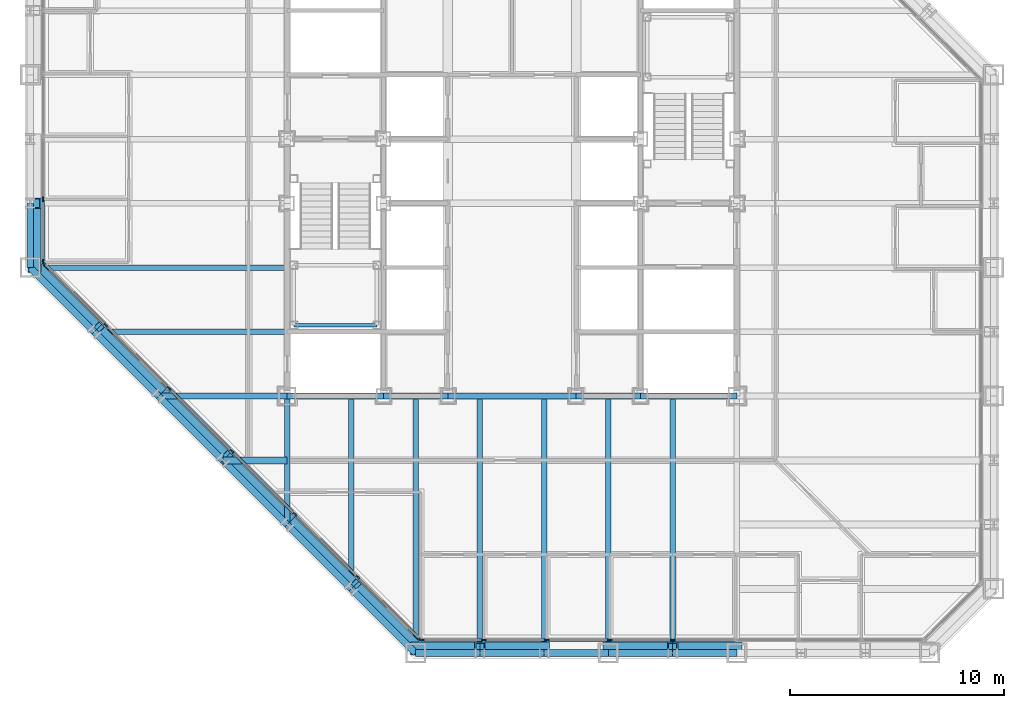
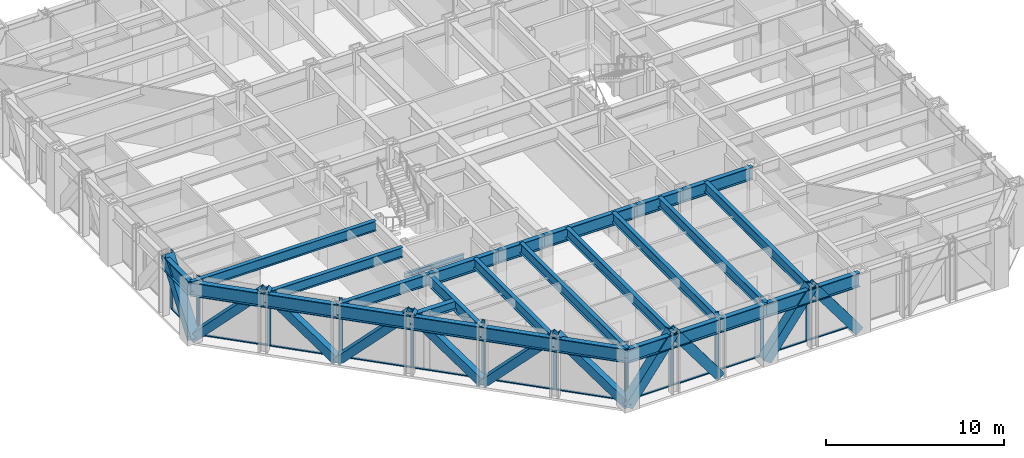
# One storey, part 4 of 17: 37 members, 29 beams, 3 elements without a shape of their own.
"""IFC4 building model written with IfcOpenShell, lengths in metres."""

from ifc_helpers import new_model, si_unit, direction, frame, origin, origin_2d, place, context, subcontext, project, spatial, rectangle, hollow_rectangle, i_section, extrude, material, layer, layer_set, material_profile, profile_set, type_object, element, aggregate, save


model = new_model("IFC4")

# Units and contexts
model_context = context("Model", 3, precision=1e-05, world=origin(), true_north=direction((0.0, 1.0)))
body_context = subcontext(model_context, "Body", "Model", "MODEL_VIEW")
ifc_project = project(units=[si_unit("LENGTHUNIT", "METRE"), si_unit("AREAUNIT", "SQUARE_METRE"), si_unit("VOLUMEUNIT", "CUBIC_METRE"), si_unit("PLANEANGLEUNIT", "RADIAN"), si_unit("MASSUNIT", "GRAM", prefix="KILO")], contexts=[model_context])

# Site, building, storey
site_placement = place(None, origin())
site = spatial("IfcSite", under=ifc_project, at=site_placement, CompositionType="ELEMENT")
building_placement = place(site_placement, origin())
building = spatial("IfcBuilding", under=site, at=building_placement, Name="Chuquiago Exchange Tower", CompositionType="ELEMENT")
storey_placement = place(building_placement, frame((0.0, 0.0, 136.199951171875)))
storey = spatial("IfcBuildingStorey", under=building, at=storey_placement, Name="L29", CompositionType="ELEMENT", Elevation=136.199951171875)

# Beams
ifc_material_1 = material(Name="Steel ASTM A992", Category="steel")
ifc_material_profile_1 = material_profile(ifc_material_1, i_section(OverallWidth=0.25390625, OverallDepth=0.683349609375, WebThickness=0.012451171875, FlangeThickness=0.018798828125, at=origin_2d()), Name="W27X94")
ifc_profile_set_1 = profile_set([ifc_material_profile_1], Name="Steel ASTM A992")
beam_type_1 = type_object("IfcBeamType", Name="B1 W27X94", PredefinedType="BEAM", material=ifc_profile_set_1)
beam_1_placement = place(storey_placement, frame((15.0, 12.0, 3.698486328125), z_axis=(0.0, -1.0, 0.0), x_axis=(1.0, 0.0, 0.0)))
element("IfcBeam", 1, at=beam_1_placement, inside=storey, type_object=beam_type_1, Name="FB-L30-infill-15_12-15_3-0", PredefinedType="BEAM", context=body_context, shape_type="SweptSolid", body=[
    extrude(i_section(OverallWidth=0.25390625, OverallDepth=0.683349609375, WebThickness=0.012451171875, FlangeThickness=0.018798828125, at=origin_2d()), origin(), (0.0, 0.0, 1.0), 9.0),
])
for number, where, z_axis, x_axis, name in (
    (2, (18.0, 12.0, 3.698486328125), (0.0, -1.0, 0.0), (1.0, 0.0, 0.0), "FB-L30-infill-18_12-18_-0-0"),
    (3, (21.0, 12.0, 3.698486328125), (0.0, -1.0, 0.0), (1.0, 0.0, 0.0), "FB-L30-infill-21_12-21_-0-0"),
    (4, (24.0, 12.0, 3.698486328125), (0.0, -1.0, 0.0), (1.0, 0.0, 0.0), "FB-L30-infill-24_12-24_-0-0"),
    (5, (27.0, 12.0, 3.698486328125), (0.0, -1.0, 0.0), (1.0, 0.0, 0.0), "FB-L30-infill-27_12-27_-0-0"),
    (6, (30.0, 12.0, 3.698486328125), (0.0, -1.0, 0.0), (1.0, 0.0, 0.0), "FB-L30-infill-30_12-30_-0-0"),
):
    element("IfcBeam", number, at=place(storey_placement, frame(where, z_axis=z_axis, x_axis=x_axis)), inside=storey, type_object=beam_type_1, Name=name, PredefinedType="BEAM", context=body_context, shape_type="SweptSolid", body=[
        extrude(i_section(OverallWidth=0.25390625, OverallDepth=0.683349609375, WebThickness=0.012451171875, FlangeThickness=0.018798828125, at=origin_2d()), origin(), (0.0, 0.0, 1.0), 12.0),
    ])
beam_2_placement = place(storey_placement, frame((12.0, 15.0, 3.698486328125), z_axis=(-1.0, 0.0, 0.0), x_axis=(0.0, -1.0, 0.0)))
element("IfcBeam", 7, at=beam_2_placement, inside=storey, type_object=beam_type_1, Name="FB-L30-infill-12_15-3_15-0", PredefinedType="BEAM", context=body_context, shape_type="SweptSolid", body=[
    extrude(i_section(OverallWidth=0.25390625, OverallDepth=0.683349609375, WebThickness=0.012451171875, FlangeThickness=0.018798828125, at=origin_2d()), origin(), (0.0, 0.0, 1.0), 9.0),
])
beam_3_placement = place(storey_placement, frame((12.0, 18.0, 3.698486328125), z_axis=(-1.0, 0.0, 0.0), x_axis=(0.0, -1.0, 0.0)))
element("IfcBeam", 8, at=beam_3_placement, inside=storey, type_object=beam_type_1, Name="FB-L30-infill-12_18--0_18-0", PredefinedType="BEAM", context=body_context, shape_type="SweptSolid", body=[
    extrude(i_section(OverallWidth=0.25390625, OverallDepth=0.683349609375, WebThickness=0.012451171875, FlangeThickness=0.018798828125, at=origin_2d()), origin(), (0.0, 0.0, 1.0), 12.0),
])
ifc_material_2 = material(Name="Steel ASTM A992", Category="steel")
ifc_material_profile_2 = material_profile(ifc_material_2, i_section(OverallWidth=0.3251953125, OverallDepth=0.612060546875, WebThickness=0.0126953125, FlangeThickness=0.01904296875, at=origin_2d()), Name="W24X104")
ifc_profile_set_2 = profile_set([ifc_material_profile_2], Name="Steel ASTM A992")
beam_type_2 = type_object("IfcBeamType", Name="B2 W24X104", PredefinedType="BEAM", material=ifc_profile_set_2)
beam_4_placement = place(storey_placement, frame((12.0, 9.0, 3.73388671875), z_axis=(-1.0, 0.0, 0.0), x_axis=(0.0, -1.0, 0.0)))
element("IfcBeam", 9, at=beam_4_placement, inside=storey, type_object=beam_type_2, Name="FB-L30-corner-12_9-9_9-0", PredefinedType="BEAM", context=body_context, shape_type="SweptSolid", body=[
    extrude(i_section(OverallWidth=0.3251953125, OverallDepth=0.612060546875, WebThickness=0.0126953125, FlangeThickness=0.01904296875, at=origin_2d()), origin(), (0.0, 0.0, 1.0), 3.0),
])
ifc_material_3 = material(Name="Steel ASTM A992", Category="steel")
ifc_material_profile_3 = material_profile(ifc_material_3, i_section(OverallWidth=0.2919921875, OverallDepth=0.8583984375, WebThickness=0.01708984375, FlangeThickness=0.031005859375, at=origin_2d()), Name="W33X169")
ifc_profile_set_3 = profile_set([ifc_material_profile_3], Name="Steel ASTM A992")
beam_type_3 = type_object("IfcBeamType", Name="B3 W33X169", PredefinedType="BEAM", material=ifc_profile_set_3)
beam_5_placement = place(storey_placement, frame((12.0, 12.0, 3.61083984375), z_axis=(1.0, 0.0, 0.0), x_axis=(0.0, 1.0, 0.0)))
element("IfcBeam", 10, at=beam_5_placement, inside=storey, type_object=beam_type_3, Name="CB-L30-12_12-16.5_12", PredefinedType="BEAM", context=body_context, shape_type="SweptSolid", body=[
    extrude(i_section(OverallWidth=0.2919921875, OverallDepth=0.8583984375, WebThickness=0.01708984375, FlangeThickness=0.031005859375, at=origin_2d()), origin(), (0.0, 0.0, 1.0), 4.5),
])
beam_6_placement = place(storey_placement, frame((16.5, 12.0, 3.61083984375), z_axis=(1.0, 0.0, 0.0), x_axis=(0.0, 1.0, 0.0)))
element("IfcBeam", 11, at=beam_6_placement, inside=storey, type_object=beam_type_3, Name="CB-L30-16.5_12-19.5_12", PredefinedType="BEAM", context=body_context, shape_type="SweptSolid", body=[
    extrude(i_section(OverallWidth=0.2919921875, OverallDepth=0.8583984375, WebThickness=0.01708984375, FlangeThickness=0.031005859375, at=origin_2d()), origin(), (0.0, 0.0, 1.0), 3.0),
])
beam_7_placement = place(storey_placement, frame((19.5, 12.0, 3.61083984375), z_axis=(1.0, 0.0, 0.0), x_axis=(0.0, 1.0, 0.0)))
element("IfcBeam", 12, at=beam_7_placement, inside=storey, type_object=beam_type_3, Name="CB-L30-19.5_12-25.5_12", PredefinedType="BEAM", context=body_context, shape_type="SweptSolid", body=[
    extrude(i_section(OverallWidth=0.2919921875, OverallDepth=0.8583984375, WebThickness=0.01708984375, FlangeThickness=0.031005859375, at=origin_2d()), origin(), (0.0, 0.0, 1.0), 6.0),
])
beam_8_placement = place(storey_placement, frame((25.5, 12.0, 3.61083984375), z_axis=(1.0, 0.0, 0.0), x_axis=(0.0, 1.0, 0.0)))
element("IfcBeam", 13, at=beam_8_placement, inside=storey, type_object=beam_type_3, Name="CB-L30-25.5_12-28.5_12", PredefinedType="BEAM", context=body_context, shape_type="SweptSolid", body=[
    extrude(i_section(OverallWidth=0.2919921875, OverallDepth=0.8583984375, WebThickness=0.01708984375, FlangeThickness=0.031005859375, at=origin_2d()), origin(), (0.0, 0.0, 1.0), 3.0),
])
beam_9_placement = place(storey_placement, frame((28.5, 12.0, 3.61083984375), z_axis=(1.0, 0.0, 0.0), x_axis=(0.0, 1.0, 0.0)))
element("IfcBeam", 14, at=beam_9_placement, inside=storey, type_object=beam_type_3, Name="CB-L30-28.5_12-33_12", PredefinedType="BEAM", context=body_context, shape_type="SweptSolid", body=[
    extrude(i_section(OverallWidth=0.2919921875, OverallDepth=0.8583984375, WebThickness=0.01708984375, FlangeThickness=0.031005859375, at=origin_2d()), origin(), (0.0, 0.0, 1.0), 4.5),
])

# Curtain wall, members
ifc_material_4 = material(Name="Aluminium curtain wall system", Category="aluminium")
ifc_layer_1 = layer(ifc_material_4, 0.22509765625)
ifc_layer_set_1 = layer_set([ifc_layer_1], Name="CW2 office curtain wall")
curtain_wall_type_1 = type_object("IfcCurtainWallType", Name="CW2 office curtain wall", PredefinedType="NOTDEFINED", material=ifc_layer_set_1)
curtain_wall_1_placement = place(storey_placement, origin())
curtain_wall_1 = element("IfcCurtainWall", 15, at=curtain_wall_1_placement, inside=storey, type_object=curtain_wall_type_1, Name="CW2 curtain wall L29", PredefinedType="NOTDEFINED")
ifc_material_5 = material(Name="Aluminium mullion, pale anodised", Category="aluminium")
ifc_material_profile_4 = material_profile(ifc_material_5, rectangle(XDim=0.06494140625, YDim=0.22509765625, at=origin_2d()), Name="AL 65x225")
ifc_profile_set_4 = profile_set([ifc_material_profile_4], Name="Aluminium mullion, pale anodised")
member_type_1 = type_object("IfcMemberType", Name="CW2-M mullion 65x225", PredefinedType="MULLION", material=ifc_profile_set_4)
member_1_placement = place(storey_placement, frame((18.281005859375, 0.60009765625, 0.0), z_axis=(0.0, 0.0, 1.0), x_axis=(0.0, 1.0, 0.0)))
member_1 = element("IfcMember", 16, at=member_1_placement, type_object=member_type_1, Name="CW2 mullion 1", PredefinedType="MULLION", context=body_context, shape_type="SweptSolid", body=[
    extrude(rectangle(XDim=0.06494140625, YDim=0.22509765625, at=origin_2d()), origin(), (0.0, 0.0, 1.0), 4.0400390625),
])
member_2_placement = place(storey_placement, frame((21.186279296875, 0.60009765625, 0.0), z_axis=(0.0, 0.0, 1.0), x_axis=(0.0, 1.0, 0.0)))
member_2 = element("IfcMember", 17, at=member_2_placement, type_object=member_type_1, Name="CW2 mullion 2", PredefinedType="MULLION", context=body_context, shape_type="SweptSolid", body=[
    extrude(rectangle(XDim=0.06494140625, YDim=0.22509765625, at=origin_2d()), origin(), (0.0, 0.0, 1.0), 4.0400390625),
])
member_3_placement = place(storey_placement, frame((24.124267578125, 0.60009765625, 0.0), z_axis=(0.0, 0.0, 1.0), x_axis=(0.0, 1.0, 0.0)))
member_3 = element("IfcMember", 18, at=member_3_placement, type_object=member_type_1, Name="CW2 mullion 3", PredefinedType="MULLION", context=body_context, shape_type="SweptSolid", body=[
    extrude(rectangle(XDim=0.06494140625, YDim=0.22509765625, at=origin_2d()), origin(), (0.0, 0.0, 1.0), 4.0400390625),
])
member_4_placement = place(storey_placement, frame((27.06201171875, 0.60009765625, 0.0), z_axis=(0.0, 0.0, 1.0), x_axis=(0.0, 1.0, 0.0)))
member_4 = element("IfcMember", 19, at=member_4_placement, type_object=member_type_1, Name="CW2 mullion 4", PredefinedType="MULLION", context=body_context, shape_type="SweptSolid", body=[
    extrude(rectangle(XDim=0.06494140625, YDim=0.22509765625, at=origin_2d()), origin(), (0.0, 0.0, 1.0), 4.0400390625),
])
member_5_placement = place(storey_placement, frame((30.0, 0.60009765625, 0.0), z_axis=(0.0, 0.0, 1.0), x_axis=(0.0, 1.0, 0.0)))
member_5 = element("IfcMember", 20, at=member_5_placement, type_object=member_type_1, Name="CW2 mullion 5", PredefinedType="MULLION", context=body_context, shape_type="SweptSolid", body=[
    extrude(rectangle(XDim=0.06494140625, YDim=0.22509765625, at=origin_2d()), origin(), (0.0, 0.0, 1.0), 4.0400390625),
])

curtain_wall_2_placement = place(storey_placement, origin())
curtain_wall_2 = element("IfcCurtainWall", 21, at=curtain_wall_2_placement, inside=storey, type_object=curtain_wall_type_1, Name="CW2 curtain wall L29", PredefinedType="NOTDEFINED")
member_6_placement = place(storey_placement, frame((0.60009765625, 21.186279296875, 0.0), z_axis=(0.0, 0.0, 1.0), x_axis=(1.0, 0.0, 0.0)))
member_6 = element("IfcMember", 22, at=member_6_placement, type_object=member_type_1, Name="CW2 mullion 8", PredefinedType="MULLION", context=body_context, shape_type="SweptSolid", body=[
    extrude(rectangle(XDim=0.06494140625, YDim=0.22509765625, at=origin_2d()), origin(), (0.0, 0.0, 1.0), 4.0400390625),
])
member_7_placement = place(storey_placement, frame((0.60009765625, 18.281005859375, 0.0), z_axis=(0.0, 0.0, 1.0), x_axis=(1.0, 0.0, 0.0)))
member_7 = element("IfcMember", 23, at=member_7_placement, type_object=member_type_1, Name="CW2 mullion 9", PredefinedType="MULLION", context=body_context, shape_type="SweptSolid", body=[
    extrude(rectangle(XDim=0.06494140625, YDim=0.22509765625, at=origin_2d()), origin(), (0.0, 0.0, 1.0), 4.0400390625),
])

# Member
ifc_material_6 = material(Name="Aluminium transom, pale anodised", Category="aluminium")
ifc_material_profile_5 = material_profile(ifc_material_6, rectangle(XDim=0.139892578125, YDim=0.06494140625, at=origin_2d()), Name="AL 140x65")
ifc_profile_set_5 = profile_set([ifc_material_profile_5], Name="Aluminium transom, pale anodised")
member_type_2 = type_object("IfcMemberType", Name="CW2-T transom 65x140", PredefinedType="MULLION", material=ifc_profile_set_5)
member_8_placement = place(storey_placement, frame((18.3134765625, 0.60009765625, 0.032470703125), z_axis=(1.0, 0.0, 0.0), x_axis=(0.0, 1.0, 0.0)))
member_8 = element("IfcMember", 24, at=member_8_placement, type_object=member_type_2, Name="CW2 transom 1.1", PredefinedType="MULLION", context=body_context, shape_type="SweptSolid", body=[
    extrude(rectangle(XDim=0.139892578125, YDim=0.06494140625, at=origin_2d()), origin(), (0.0, 0.0, 1.0), 2.84033203125),
])

member_9_placement = place(storey_placement, frame((21.218994140625, 0.60009765625, 0.032470703125), z_axis=(1.0, 0.0, 0.0), x_axis=(0.0, 1.0, 0.0)))
member_9 = element("IfcMember", 25, at=member_9_placement, type_object=member_type_2, Name="CW2 transom 2.1", PredefinedType="MULLION", context=body_context, shape_type="SweptSolid", body=[
    extrude(rectangle(XDim=0.139892578125, YDim=0.06494140625, at=origin_2d()), origin(), (0.0, 0.0, 1.0), 2.872802734375),
])

member_10_placement = place(storey_placement, frame((24.15673828125, 0.60009765625, 0.032470703125), z_axis=(1.0, 0.0, 0.0), x_axis=(0.0, 1.0, 0.0)))
member_10 = element("IfcMember", 26, at=member_10_placement, type_object=member_type_2, Name="CW2 transom 3.1", PredefinedType="MULLION", context=body_context, shape_type="SweptSolid", body=[
    extrude(rectangle(XDim=0.139892578125, YDim=0.06494140625, at=origin_2d()), origin(), (0.0, 0.0, 1.0), 2.872802734375),
])

member_11_placement = place(storey_placement, frame((27.0947265625, 0.60009765625, 0.032470703125), z_axis=(1.0, 0.0, 0.0), x_axis=(0.0, 1.0, 0.0)))
member_11 = element("IfcMember", 27, at=member_11_placement, type_object=member_type_2, Name="CW2 transom 4.1", PredefinedType="MULLION", context=body_context, shape_type="SweptSolid", body=[
    extrude(rectangle(XDim=0.139892578125, YDim=0.06494140625, at=origin_2d()), origin(), (0.0, 0.0, 1.0), 2.872802734375),
])

member_12_placement = place(storey_placement, frame((30.032470703125, 0.60009765625, 0.032470703125), z_axis=(1.0, 0.0, 0.0), x_axis=(0.0, 1.0, 0.0)))
member_12 = element("IfcMember", 28, at=member_12_placement, type_object=member_type_2, Name="CW2 transom 5.1", PredefinedType="MULLION", context=body_context, shape_type="SweptSolid", body=[
    extrude(rectangle(XDim=0.139892578125, YDim=0.06494140625, at=origin_2d()), origin(), (0.0, 0.0, 1.0), 2.872802734375),
])

aggregate(curtain_wall_1, [member_1, member_2, member_3, member_4, member_5, member_8, member_9, member_10, member_11, member_12])

member_13_placement = place(storey_placement, frame((0.60009765625, 21.15380859375, 0.032470703125), z_axis=(0.0, -1.0, 0.0), x_axis=(1.0, 0.0, 0.0)))
member_13 = element("IfcMember", 29, at=member_13_placement, type_object=member_type_2, Name="CW2 transom 8.1", PredefinedType="MULLION", context=body_context, shape_type="SweptSolid", body=[
    extrude(rectangle(XDim=0.139892578125, YDim=0.06494140625, at=origin_2d()), origin(), (0.0, 0.0, 1.0), 2.84033203125),
])

aggregate(curtain_wall_2, [member_6, member_7, member_13])

# Curtain wall, members
ifc_material_7 = material(Name="Aluminium curtain wall system", Category="aluminium")
ifc_layer_2 = layer(ifc_material_7, 0.199951171875)
ifc_layer_set_2 = layer_set([ifc_layer_2], Name="CW3 facet curtain wall")
curtain_wall_type_2 = type_object("IfcCurtainWallType", Name="CW3 facet curtain wall", PredefinedType="NOTDEFINED", material=ifc_layer_set_2)
curtain_wall_3_placement = place(storey_placement, origin())
curtain_wall_3 = element("IfcCurtainWall", 30, at=curtain_wall_3_placement, inside=storey, type_object=curtain_wall_type_2, Name="CW3 curtain wall L29", PredefinedType="NOTDEFINED")
ifc_material_8 = material(Name="Aluminium mullion, pale anodised", Category="aluminium")
ifc_material_profile_6 = material_profile(ifc_material_8, rectangle(XDim=0.06494140625, YDim=0.199951171875, at=origin_2d()), Name="AL 65x200")
ifc_profile_set_6 = profile_set([ifc_material_profile_6], Name="Aluminium mullion, pale anodised")
member_type_3 = type_object("IfcMemberType", Name="CW3-M mullion 65x200", PredefinedType="MULLION", material=ifc_profile_set_6)
member_14_placement = place(storey_placement, frame((0.623046875, 18.2255859375, 0.0), z_axis=(0.0, 0.0, 1.0), x_axis=(0.707106781187, 0.707106781187, 0.0)))
member_14 = element("IfcMember", 31, at=member_14_placement, type_object=member_type_3, Name="CW3 mullion 1", PredefinedType="MULLION", context=body_context, shape_type="SweptSolid", body=[
    extrude(rectangle(XDim=0.06494140625, YDim=0.199951171875, at=origin_2d()), origin(), (0.0, 0.0, 1.0), 4.0400390625),
])
member_15_placement = place(storey_placement, frame((3.54150390625, 15.30712890625, 0.0), z_axis=(0.0, 0.0, 1.0), x_axis=(0.707106781187, 0.707106781187, 0.0)))
member_15 = element("IfcMember", 32, at=member_15_placement, type_object=member_type_3, Name="CW3 mullion 2", PredefinedType="MULLION", context=body_context, shape_type="SweptSolid", body=[
    extrude(rectangle(XDim=0.06494140625, YDim=0.199951171875, at=origin_2d()), origin(), (0.0, 0.0, 1.0), 4.0400390625),
])
member_16_placement = place(storey_placement, frame((6.48291015625, 12.36572265625, 0.0), z_axis=(0.0, 0.0, 1.0), x_axis=(0.707106781187, 0.707106781187, 0.0)))
member_16 = element("IfcMember", 33, at=member_16_placement, type_object=member_type_3, Name="CW3 mullion 3", PredefinedType="MULLION", context=body_context, shape_type="SweptSolid", body=[
    extrude(rectangle(XDim=0.06494140625, YDim=0.199951171875, at=origin_2d()), origin(), (0.0, 0.0, 1.0), 4.0400390625),
])
member_17_placement = place(storey_placement, frame((9.42431640625, 9.42431640625, 0.0), z_axis=(0.0, 0.0, 1.0), x_axis=(0.707106781187, 0.707106781187, 0.0)))
member_17 = element("IfcMember", 34, at=member_17_placement, type_object=member_type_3, Name="CW3 mullion 4", PredefinedType="MULLION", context=body_context, shape_type="SweptSolid", body=[
    extrude(rectangle(XDim=0.06494140625, YDim=0.199951171875, at=origin_2d()), origin(), (0.0, 0.0, 1.0), 4.0400390625),
])
member_18_placement = place(storey_placement, frame((12.36572265625, 6.48291015625, 0.0), z_axis=(0.0, 0.0, 1.0), x_axis=(0.707106781187, 0.707106781187, 0.0)))
member_18 = element("IfcMember", 35, at=member_18_placement, type_object=member_type_3, Name="CW3 mullion 5", PredefinedType="MULLION", context=body_context, shape_type="SweptSolid", body=[
    extrude(rectangle(XDim=0.06494140625, YDim=0.199951171875, at=origin_2d()), origin(), (0.0, 0.0, 1.0), 4.0400390625),
])
member_19_placement = place(storey_placement, frame((15.30712890625, 3.54150390625, 0.0), z_axis=(0.0, 0.0, 1.0), x_axis=(0.707106781187, 0.707106781187, 0.0)))
member_19 = element("IfcMember", 36, at=member_19_placement, type_object=member_type_3, Name="CW3 mullion 6", PredefinedType="MULLION", context=body_context, shape_type="SweptSolid", body=[
    extrude(rectangle(XDim=0.06494140625, YDim=0.199951171875, at=origin_2d()), origin(), (0.0, 0.0, 1.0), 4.0400390625),
])
member_20_placement = place(storey_placement, frame((18.2255859375, 0.623046875, 0.0), z_axis=(0.0, 0.0, 1.0), x_axis=(0.707106781187, 0.707106781187, 0.0)))
member_20 = element("IfcMember", 37, at=member_20_placement, type_object=member_type_3, Name="CW3 mullion 7", PredefinedType="MULLION", context=body_context, shape_type="SweptSolid", body=[
    extrude(rectangle(XDim=0.06494140625, YDim=0.199951171875, at=origin_2d()), origin(), (0.0, 0.0, 1.0), 4.0400390625),
])
ifc_material_9 = material(Name="Aluminium transom, pale anodised", Category="aluminium")
ifc_material_profile_7 = material_profile(ifc_material_9, rectangle(XDim=0.139892578125, YDim=0.06494140625, at=origin_2d()), Name="AL 140x65")
ifc_profile_set_7 = profile_set([ifc_material_profile_7], Name="Aluminium transom, pale anodised")
member_type_4 = type_object("IfcMemberType", Name="CW3-T transom 65x140", PredefinedType="MULLION", material=ifc_profile_set_7)
member_21_placement = place(storey_placement, frame((0.64599609375, 18.20263671875, 0.032470703125), z_axis=(0.707106781187, -0.707106781187, 0.0), x_axis=(0.707106781187, 0.707106781187, 0.0)))
member_21 = element("IfcMember", 38, at=member_21_placement, type_object=member_type_4, Name="CW3 transom 1.1", PredefinedType="MULLION", context=body_context, shape_type="SweptSolid", body=[
    extrude(rectangle(XDim=0.139892578125, YDim=0.06494140625, at=origin_2d()), origin(), (0.0, 0.0, 1.0), 4.0625),
])
member_22_placement = place(storey_placement, frame((3.564453125, 15.2841796875, 0.032470703125), z_axis=(0.707106781187, -0.707106781187, 0.0), x_axis=(0.707106781187, 0.707106781187, 0.0)))
member_22 = element("IfcMember", 39, at=member_22_placement, type_object=member_type_4, Name="CW3 transom 2.1", PredefinedType="MULLION", context=body_context, shape_type="SweptSolid", body=[
    extrude(rectangle(XDim=0.139892578125, YDim=0.06494140625, at=origin_2d()), origin(), (0.0, 0.0, 1.0), 4.094970703125),
])
member_23_placement = place(storey_placement, frame((6.505859375, 12.3427734375, 0.032470703125), z_axis=(0.707106781187, -0.707106781187, 0.0), x_axis=(0.707106781187, 0.707106781187, 0.0)))
member_23 = element("IfcMember", 40, at=member_23_placement, type_object=member_type_4, Name="CW3 transom 3.1", PredefinedType="MULLION", context=body_context, shape_type="SweptSolid", body=[
    extrude(rectangle(XDim=0.139892578125, YDim=0.06494140625, at=origin_2d()), origin(), (0.0, 0.0, 1.0), 4.094970703125),
])
member_24_placement = place(storey_placement, frame((9.447265625, 9.4013671875, 0.032470703125), z_axis=(0.707106781187, -0.707106781187, 0.0), x_axis=(0.707106781187, 0.707106781187, 0.0)))
member_24 = element("IfcMember", 41, at=member_24_placement, type_object=member_type_4, Name="CW3 transom 4.1", PredefinedType="MULLION", context=body_context, shape_type="SweptSolid", body=[
    extrude(rectangle(XDim=0.139892578125, YDim=0.06494140625, at=origin_2d()), origin(), (0.0, 0.0, 1.0), 4.094970703125),
])
member_25_placement = place(storey_placement, frame((12.388671875, 6.4599609375, 0.032470703125), z_axis=(0.707106781187, -0.707106781187, 0.0), x_axis=(0.707106781187, 0.707106781187, 0.0)))
member_25 = element("IfcMember", 42, at=member_25_placement, type_object=member_type_4, Name="CW3 transom 5.1", PredefinedType="MULLION", context=body_context, shape_type="SweptSolid", body=[
    extrude(rectangle(XDim=0.139892578125, YDim=0.06494140625, at=origin_2d()), origin(), (0.0, 0.0, 1.0), 4.094970703125),
])
member_26_placement = place(storey_placement, frame((15.330078125, 3.5185546875, 0.032470703125), z_axis=(0.707106781187, -0.707106781187, 0.0), x_axis=(0.707106781187, 0.707106781187, 0.0)))
member_26 = element("IfcMember", 43, at=member_26_placement, type_object=member_type_4, Name="CW3 transom 6.1", PredefinedType="MULLION", context=body_context, shape_type="SweptSolid", body=[
    extrude(rectangle(XDim=0.139892578125, YDim=0.06494140625, at=origin_2d()), origin(), (0.0, 0.0, 1.0), 4.0625),
])
aggregate(curtain_wall_3, [member_14, member_15, member_16, member_17, member_18, member_19, member_20, member_21, member_22, member_23, member_24, member_25, member_26])

# Beams
ifc_material_10 = material(Name="Steel ASTM A992", Category="steel")
ifc_material_profile_8 = material_profile(ifc_material_10, i_section(OverallWidth=0.2666015625, OverallDepth=0.76953125, WebThickness=0.015625, FlangeThickness=0.025390625, at=origin_2d()), Name="W30X132")
ifc_profile_set_8 = profile_set([ifc_material_profile_8], Name="Steel ASTM A992")
beam_type_4 = type_object("IfcBeamType", Name="G1 W30X132", PredefinedType="BEAM", material=ifc_profile_set_8)
for number, where, z_axis, x_axis, name in (
    (44, (12.0, 12.0, 3.6552734375), (0.0, -1.0, 0.0), (1.0, 0.0, 0.0), "FB-L30-girder-12_12-12_6-0"),
    (45, (12.0, 12.0, 3.6552734375), (-1.0, 0.0, 0.0), (0.0, -1.0, 0.0), "FB-L30-girder-12_12-6_12-0"),
):
    element("IfcBeam", number, at=place(storey_placement, frame(where, z_axis=z_axis, x_axis=x_axis)), inside=storey, type_object=beam_type_4, Name=name, PredefinedType="BEAM", context=body_context, shape_type="SweptSolid", body=[
        extrude(i_section(OverallWidth=0.2666015625, OverallDepth=0.76953125, WebThickness=0.015625, FlangeThickness=0.025390625, at=origin_2d()), origin(), (0.0, 0.0, 1.0), 6.0),
    ])

# Members
ifc_material_11 = material(Name="Steel ASTM A500 Grade C", Category="steel")
ifc_material_profile_9 = material_profile(ifc_material_11, hollow_rectangle(XDim=0.508056640625, YDim=0.508056640625, WallThickness=0.017822265625, at=origin_2d()), Name="HSS20X20X3/4")
ifc_profile_set_9 = profile_set([ifc_material_profile_9], Name="Steel ASTM A500 Grade C")
member_type_5 = type_object("IfcMemberType", Name="LB1 HSS20X20X3/4", PredefinedType="BRACE", material=ifc_profile_set_9)
for number, where, z_axis, x_axis, name in (
    (46, (0.177490234375, 18.177490234375, 0.0), (0.512077265487, -0.512077265487, 0.689604051861), (0.707106781187, 0.707106781187, 0.0), "LB-L29-0_18-3_15"),
    (47, (6.177490234375, 12.177490234375, 0.0), (-0.512077265487, 0.512077265487, 0.689604051861), (-0.707106781187, -0.707106781187, 0.0), "LB-L29-3_15-6_12"),
    (48, (6.177490234375, 12.177490234375, 0.0), (0.512077265487, -0.512077265487, 0.689604051861), (0.707106781187, 0.707106781187, 0.0), "LB-L29-6_12-9_9"),
    (49, (12.177490234375, 6.177490234375, 0.0), (-0.512077265487, 0.512077265487, 0.689604051861), (-0.707106781187, -0.707106781187, 0.0), "LB-L29-9_9-12_6"),
    (50, (12.177490234375, 6.177490234375, 0.0), (0.512077265487, -0.512077265487, 0.689604051861), (0.707106781187, 0.707106781187, 0.0), "LB-L29-12_6-15_3"),
    (51, (18.177490234375, 0.177490234375, 0.0), (-0.512077265487, 0.512077265487, 0.689604051861), (-0.707106781187, -0.707106781187, 0.0), "LB-L29-15_3-18_0"),
):
    element("IfcMember", number, at=place(storey_placement, frame(where, z_axis=z_axis, x_axis=x_axis)), inside=storey, type_object=member_type_5, Name=name, PredefinedType="BRACE", context=body_context, shape_type="SweptSolid", body=[
        extrude(hollow_rectangle(XDim=0.508056640625, YDim=0.508056640625, WallThickness=0.017822265625, at=origin_2d()), origin(), (0.0, 0.0, 1.0), 5.8583984375),
    ])

# Beam
ifc_material_12 = material(Name="Steel ASTM A992", Category="steel")
ifc_material_profile_10 = material_profile(ifc_material_12, i_section(OverallWidth=0.164794921875, OverallDepth=0.309814453125, WebThickness=0.005859375, FlangeThickness=0.009765625, at=origin_2d()), Name="W12X26")
ifc_profile_set_10 = profile_set([ifc_material_profile_10], Name="Steel ASTM A992")
beam_type_5 = type_object("IfcBeamType", Name="LT1 W12X26", PredefinedType="BEAM", material=ifc_profile_set_10)
beam_10_placement = place(storey_placement, frame((12.31005859375, 15.31005859375, 1.7451171875), z_axis=(1.0, 0.0, 0.0), x_axis=(0.0, 1.0, 0.0)))
element("IfcBeam", 52, at=beam_10_placement, inside=storey, type_object=beam_type_5, Name="Stair ST1 L29 landing 1 trimmer", PredefinedType="BEAM", context=body_context, shape_type="SweptSolid", body=[
    extrude(i_section(OverallWidth=0.164794921875, OverallDepth=0.309814453125, WebThickness=0.005859375, FlangeThickness=0.009765625, at=origin_2d()), origin(), (0.0, 0.0, 1.0), 3.8798828125),
])

# Members
ifc_material_13 = material(Name="Steel ASTM A572 Grade 50", Category="steel")
ifc_material_profile_11 = material_profile(ifc_material_13, hollow_rectangle(XDim=0.60009765625, YDim=0.60009765625, WallThickness=0.06005859375, at=origin_2d()), Name="BOX600X600X60")
ifc_profile_set_11 = profile_set([ifc_material_profile_11], Name="Steel ASTM A572 Grade 50")
member_type_6 = type_object("IfcMemberType", Name="MB2 BOX600X600X60", PredefinedType="BRACE", material=ifc_profile_set_11)
for number, where, z_axis, x_axis, name in (
    (53, (18.0, 0.205078125, 0.0), (0.596173923302, 0.0, 0.802855312728), (0.0, 1.0, 0.0), "Mega diagonal L29 S face"),
    (54, (24.0, 0.205078125, 0.0), (-0.596173923302, 0.0, 0.802855312728), (0.0, -1.0, 0.0), "Mega diagonal L29 S face"),
    (55, (27.0, 0.205078125, 0.0), (0.596173923302, 0.0, 0.802855312728), (0.0, 1.0, 0.0), "Mega diagonal L29 S face"),
    (56, (33.0, 0.205078125, 0.0), (-0.596173923302, 0.0, 0.802855312728), (0.0, -1.0, 0.0), "Mega diagonal L29 S face"),
    (57, (0.205078125, 18.0, 0.0), (0.0, 0.596173923302, 0.802855312728), (-1.0, 0.0, 0.0), "Mega diagonal L29 W face"),
):
    element("IfcMember", number, at=place(storey_placement, frame(where, z_axis=z_axis, x_axis=x_axis)), inside=storey, type_object=member_type_6, Name=name, PredefinedType="BRACE", context=body_context, shape_type="SweptSolid", body=[
        extrude(hollow_rectangle(XDim=0.60009765625, YDim=0.60009765625, WallThickness=0.06005859375, at=origin_2d()), origin(), (0.0, 0.0, 1.0), 5.031982421875),
    ])

# Beams
ifc_material_14 = material(Name="Steel ASTM A992", Category="steel")
ifc_material_profile_12 = material_profile(ifc_material_14, i_section(OverallWidth=0.309814453125, OverallDepth=0.949951171875, WebThickness=0.0244140625, FlangeThickness=0.0439453125, at=origin_2d()), Name="W36X256")
ifc_profile_set_12 = profile_set([ifc_material_profile_12], Name="Steel ASTM A992")
beam_type_6 = type_object("IfcBeamType", Name="SP2 W36X256", PredefinedType="SPANDREL", material=ifc_profile_set_12)
for number, where, z_axis, x_axis, name in (
    (58, (18.0, 0.0, 3.56494140625), (1.0, 0.0, 0.0), (0.0, 1.0, 0.0), "SPB-L30-18_0-21_0"),
    (59, (21.0, 0.0, 3.56494140625), (1.0, 0.0, 0.0), (0.0, 1.0, 0.0), "SPB-L30-21_0-24_0"),
    (60, (24.0, 0.0, 3.56494140625), (1.0, 0.0, 0.0), (0.0, 1.0, 0.0), "SPB-L30-24_0-27_0"),
    (61, (27.0, 0.0, 3.56494140625), (1.0, 0.0, 0.0), (0.0, 1.0, 0.0), "SPB-L30-27_0-30_0"),
    (62, (30.0, 0.0, 3.56494140625), (1.0, 0.0, 0.0), (0.0, 1.0, 0.0), "SPB-L30-30_0-33_0"),
    (63, (0.0, 21.0, 3.56494140625), (0.0, -1.0, 0.0), (1.0, 0.0, 0.0), "SPB-L30-0_21-0_18"),
):
    element("IfcBeam", number, at=place(storey_placement, frame(where, z_axis=z_axis, x_axis=x_axis)), inside=storey, type_object=beam_type_6, Name=name, PredefinedType="SPANDREL", context=body_context, shape_type="SweptSolid", body=[
        extrude(i_section(OverallWidth=0.309814453125, OverallDepth=0.949951171875, WebThickness=0.0244140625, FlangeThickness=0.0439453125, at=origin_2d()), origin(), (0.0, 0.0, 1.0), 3.0),
    ])
for number, where, z_axis, x_axis, name in (
    (64, (0.0, 18.0, 3.56494140625), (0.707106781187, -0.707106781187, 0.0), (0.707106781187, 0.707106781187, 0.0), "SPB-L30-0_18-3_15"),
    (65, (3.0, 15.0, 3.56494140625), (0.707106781187, -0.707106781187, 0.0), (0.707106781187, 0.707106781187, 0.0), "SPB-L30-3_15-6_12"),
    (66, (6.0, 12.0, 3.56494140625), (0.707106781187, -0.707106781187, 0.0), (0.707106781187, 0.707106781187, 0.0), "SPB-L30-6_12-9_9"),
    (67, (9.0, 9.0, 3.56494140625), (0.707106781187, -0.707106781187, 0.0), (0.707106781187, 0.707106781187, 0.0), "SPB-L30-9_9-12_6"),
    (68, (12.0, 6.0, 3.56494140625), (0.707106781187, -0.707106781187, 0.0), (0.707106781187, 0.707106781187, 0.0), "SPB-L30-12_6-15_3"),
    (69, (15.0, 3.0, 3.56494140625), (0.707106781187, -0.707106781187, 0.0), (0.707106781187, 0.707106781187, 0.0), "SPB-L30-15_3-18_0"),
):
    element("IfcBeam", number, at=place(storey_placement, frame(where, z_axis=z_axis, x_axis=x_axis)), inside=storey, type_object=beam_type_6, Name=name, PredefinedType="SPANDREL", context=body_context, shape_type="SweptSolid", body=[
        extrude(i_section(OverallWidth=0.309814453125, OverallDepth=0.949951171875, WebThickness=0.0244140625, FlangeThickness=0.0439453125, at=origin_2d()), origin(), (0.0, 0.0, 1.0), 4.24267578125),
    ])

save(model, "model.ifc")
